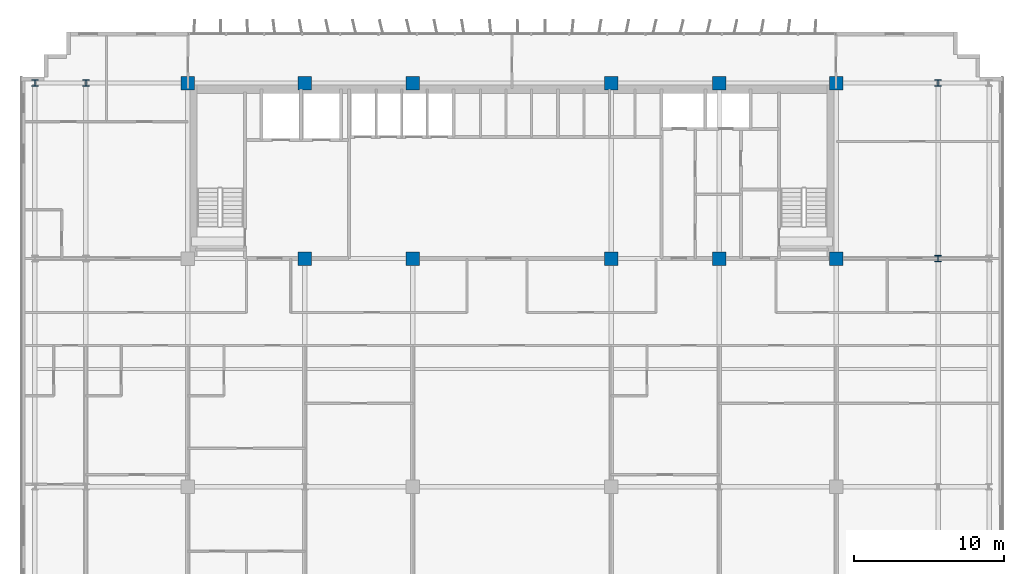
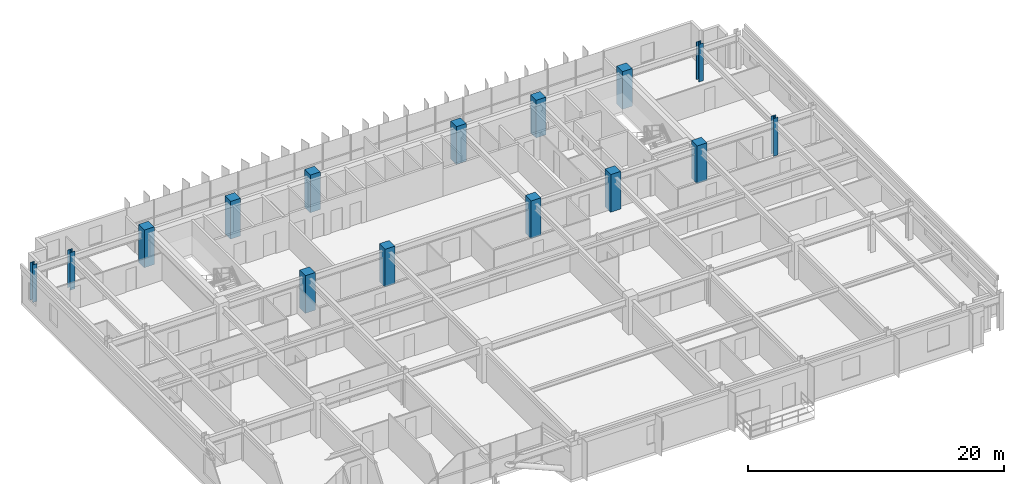
# One storey, part 2 of 25: 15 columns.
"""IFC4 building model written with IfcOpenShell, lengths in metres."""

from ifc_helpers import new_model, si_unit, direction, frame, origin, origin_2d, place, context, subcontext, project, spatial, rectangle, i_section, extrude, source, transform, mapped, material, material_profile, profile_set, type_object, element, save


model = new_model("IFC4")

# Units and contexts
model_context = context("Model", 3, precision=1e-05, world=origin(), true_north=direction((0.0, 1.0)))
body_context = subcontext(model_context, "Body", "Model", "MODEL_VIEW")
ifc_project = project(units=[si_unit("LENGTHUNIT", "METRE"), si_unit("AREAUNIT", "SQUARE_METRE"), si_unit("VOLUMEUNIT", "CUBIC_METRE"), si_unit("PLANEANGLEUNIT", "RADIAN"), si_unit("MASSUNIT", "GRAM", prefix="KILO")], contexts=[model_context])

# Site, building, storey
site_placement = place(None, origin())
site = spatial("IfcSite", under=ifc_project, at=site_placement, CompositionType="ELEMENT")
building_placement = place(site_placement, origin())
building = spatial("IfcBuilding", under=site, at=building_placement, Name="Trelvane Seafront Commons", CompositionType="ELEMENT")
storey_placement = place(building_placement, frame((0.0, 0.0, 70.300048828125)))
storey = spatial("IfcBuildingStorey", under=building, at=storey_placement, Name="L18", CompositionType="ELEMENT", Elevation=70.300048828125)

# Columns
ifc_material_1 = material(Name="Steel SM355 (S355)", Category="steel")
ifc_material_profile_1 = material_profile(ifc_material_1, i_section(OverallWidth=0.419921875, OverallDepth=0.419921875, WebThickness=0.02587890625, FlangeThickness=0.0400390625, at=origin_2d()), Name="HD-420x420x26x40")
ifc_profile_set_1 = profile_set([ifc_material_profile_1], Name="Steel SM355 (S355)")
column_type_1 = type_object("IfcColumnType", Name="STR-COL-HD420", PredefinedType="COLUMN", material=ifc_profile_set_1)
shared_shape_1 = source(origin(), body_context, "Body", "SweptSolid", [
    extrude(i_section(OverallWidth=0.419921875, OverallDepth=0.419921875, WebThickness=0.02587890625, FlangeThickness=0.0400390625, at=origin_2d()), origin(), (0.0, 0.0, 1.0), 3.599853515625),
])
for number, where, z_axis, x_axis, name in (
    (1, (5.39990234375, 45.10009765625, 0.0), (0.0, 0.0, 1.0), (1.0, 0.0, 0.0), "L18 Column TC-CN5.4"),
    (2, (8.800048828125, 45.10009765625, 0.0), (0.0, 0.0, 1.0), (1.0, 0.0, 0.0), "L18 Column TC-CN8.8"),
    (3, (65.60009765625, 33.39990234375, 0.0), (0.0, 0.0, 1.0), (1.0, 0.0, 0.0), "L18 Column TC-CS65.6"),
    (4, (65.60009765625, 45.10009765625, 0.0), (0.0, 0.0, 1.0), (1.0, 0.0, 0.0), "L18 Column TC-CN65.6"),
):
    element("IfcColumn", number, at=place(storey_placement, frame(where, z_axis=z_axis, x_axis=x_axis)), inside=storey, type_object=column_type_1, Name=name, PredefinedType="COLUMN", context=body_context, shape_type="MappedRepresentation", body=[
        mapped(shared_shape_1, transform((0.0, 0.0, 0.0), x_axis=(1.0, 0.0, 0.0), y_axis=(0.0, 1.0, 0.0), z_axis=(0.0, 0.0, 1.0), scale=1.0)),
    ])
ifc_material_2 = material(Name="Concrete C60/75", Category="concrete")
ifc_material_profile_2 = material_profile(ifc_material_2, rectangle(XDim=0.89990234375, YDim=0.89990234375, at=origin_2d()), Name="RC-900x900")
ifc_profile_set_2 = profile_set([ifc_material_profile_2], Name="Concrete C60/75")
column_type_2 = type_object("IfcColumnType", Name="STR-COL-RC900", PredefinedType="COLUMN", material=ifc_profile_set_2)
shared_shape_2 = source(origin(), body_context, "Body", "SweptSolid", [
    extrude(rectangle(XDim=0.89990234375, YDim=0.89990234375, at=origin_2d()), origin(), (0.0, 0.0, 1.0), 3.599853515625),
])
for number, where, z_axis, x_axis, name in (
    (5, (15.60009765625, 45.10009765625, 0.0), (0.0, 0.0, 1.0), (1.0, 0.0, 0.0), "L18 Column TC-CN15.6"),
    (6, (23.39990234375, 33.39990234375, 0.0), (0.0, 0.0, 1.0), (1.0, 0.0, 0.0), "L18 Column TC-CS23.4"),
    (7, (23.39990234375, 45.10009765625, 0.0), (0.0, 0.0, 1.0), (1.0, 0.0, 0.0), "L18 Column TC-CN23.4"),
    (8, (30.60009765625, 33.39990234375, 0.0), (0.0, 0.0, 1.0), (1.0, 0.0, 0.0), "L18 Column TC-CS30.6"),
    (9, (30.60009765625, 45.10009765625, 0.0), (0.0, 0.0, 1.0), (1.0, 0.0, 0.0), "L18 Column TC-CN30.6"),
    (10, (43.800048828125, 33.39990234375, 0.0), (0.0, 0.0, 1.0), (1.0, 0.0, 0.0), "L18 Column TC-CS43.8"),
    (11, (43.800048828125, 45.10009765625, 0.0), (0.0, 0.0, 1.0), (1.0, 0.0, 0.0), "L18 Column TC-CN43.8"),
    (12, (51.0, 33.39990234375, 0.0), (0.0, 0.0, 1.0), (1.0, 0.0, 0.0), "L18 Column TC-CS51.0"),
    (13, (51.0, 45.10009765625, 0.0), (0.0, 0.0, 1.0), (1.0, 0.0, 0.0), "L18 Column TC-CN51.0"),
    (14, (58.800048828125, 33.39990234375, 0.0), (0.0, 0.0, 1.0), (1.0, 0.0, 0.0), "L18 Column TC-CS58.8"),
    (15, (58.800048828125, 45.10009765625, 0.0), (0.0, 0.0, 1.0), (1.0, 0.0, 0.0), "L18 Column TC-CN58.8"),
):
    element("IfcColumn", number, at=place(storey_placement, frame(where, z_axis=z_axis, x_axis=x_axis)), inside=storey, type_object=column_type_2, Name=name, PredefinedType="COLUMN", context=body_context, shape_type="MappedRepresentation", body=[
        mapped(shared_shape_2, transform((0.0, 0.0, 0.0), x_axis=(1.0, 0.0, 0.0), y_axis=(0.0, 1.0, 0.0), z_axis=(0.0, 0.0, 1.0), scale=1.0)),
    ])

save(model, "model.ifc")
